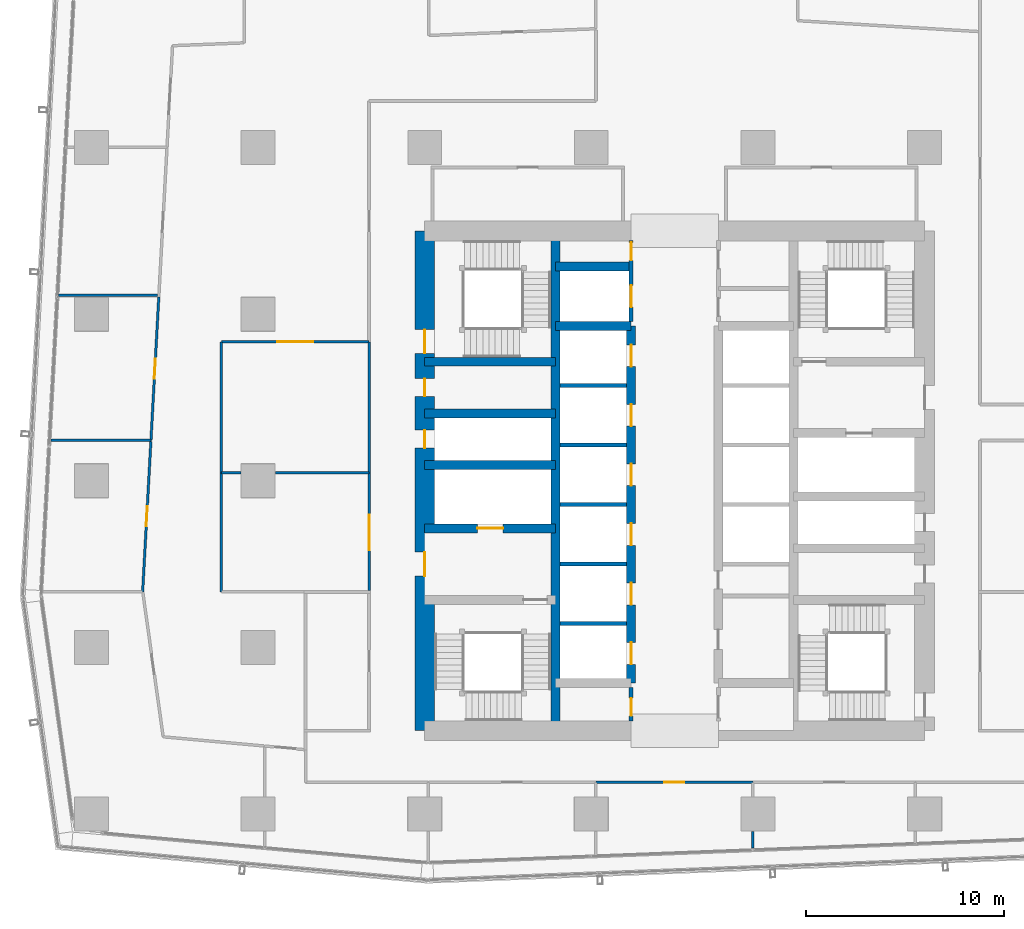
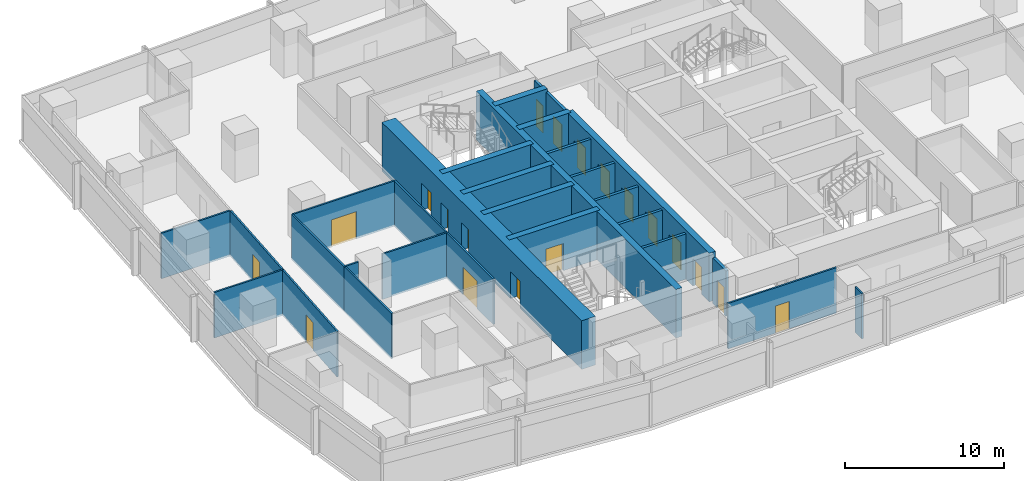
# One storey, part 29 of 40: 29 walls, 19 doors, 19 openings.
"""IFC4 building model written with IfcOpenShell, lengths in metres."""

from ifc_helpers import new_model, si_unit, direction, frame, frame_2d, origin, place, context, subcontext, project, spatial, rectangle, extrude, material, layer, layer_set, type_object, element, fill, save


model = new_model("IFC4")

# Units and contexts
model_context = context("Model", 3, precision=1e-05, world=origin(), true_north=direction((0.0, 1.0)))
body_context = subcontext(model_context, "Body", "Model", "MODEL_VIEW")
ifc_project = project(units=[si_unit("LENGTHUNIT", "METRE"), si_unit("AREAUNIT", "SQUARE_METRE"), si_unit("VOLUMEUNIT", "CUBIC_METRE"), si_unit("PLANEANGLEUNIT", "RADIAN"), si_unit("MASSUNIT", "GRAM", prefix="KILO")], contexts=[model_context])

# Site, building, storey
site_placement = place(None, origin())
site = spatial("IfcSite", under=ifc_project, at=site_placement, CompositionType="ELEMENT")
building_placement = place(site_placement, origin())
building = spatial("IfcBuilding", under=site, at=building_placement, Name="Rekha Terrace Tower", CompositionType="ELEMENT")
storey_placement = place(building_placement, frame((0.0, 0.0, 132.800048828125)))
storey = spatial("IfcBuildingStorey", under=building, at=storey_placement, Name="L33", CompositionType="ELEMENT", Elevation=132.800048828125)

# Wall
ifc_material_1 = material(Name="Concrete M70", Category="concrete")
ifc_layer_1 = layer(ifc_material_1, 0.449951171875)
ifc_layer_set_1 = layer_set([ifc_layer_1], Name="Concrete M70")
wall_type_1 = type_object("IfcWallType", Name="CI2 450 core internal shear wall", PredefinedType="SHEAR", material=ifc_layer_set_1)
wall_1_placement = place(storey_placement, frame((31.800048828125, 21.0, 0.0), z_axis=(0.0, 0.0, 1.0), x_axis=(0.0, 1.0, 0.0)))
element("IfcWall", 1, at=wall_1_placement, inside=storey, type_object=wall_type_1, Name="Core wall X318 L33", PredefinedType="SHEAR", context=body_context, shape_type="SweptSolid", body=[
    extrude(rectangle(XDim=25.199951171875, YDim=0.449951171875, at=frame_2d((12.60009765625, 0.0))), origin(), (0.0, 0.0, 1.0), 3.75),
])

# Wall, openings, doors
wall_2_placement = place(storey_placement, frame((35.60009765625, 23.39990234375, 0.0), z_axis=(0.0, 0.0, 1.0), x_axis=(0.0, 1.0, 0.0)))
wall_2 = element("IfcWall", 2, at=wall_2_placement, inside=storey, type_object=wall_type_1, Name="Core wall X356 L33", PredefinedType="SHEAR", context=body_context, shape_type="SweptSolid", body=[
    extrude(rectangle(XDim=18.0, YDim=0.449951171875, at=frame_2d((9.0, 0.0))), origin(), (0.0, 0.0, 1.0), 3.75),
])
opening_1_placement = place(wall_2_placement, frame((0.949951171875, 0.0, 0.0)))
opening_1 = element("IfcOpeningElement", 3, at=opening_1_placement, cuts=wall_2, Name="Opening LD1", PredefinedType="OPENING", context=body_context, shape_type="SweptSolid", body=[
    extrude(rectangle(XDim=1.10009765625, YDim=2.10009765625, at=frame_2d((0.550048828125, 1.050048828125))), frame((0.0, 0.23486328125, 0.0), z_axis=(0.0, -1.0, 0.0), x_axis=(1.0, 0.0, 0.0)), (0.0, 0.0, 1.0), 0.469970703125),
])
opening_2_placement = place(wall_2_placement, frame((3.949951171875, 0.0, 0.0)))
opening_2 = element("IfcOpeningElement", 4, at=opening_2_placement, cuts=wall_2, Name="Opening LD1", PredefinedType="OPENING", context=body_context, shape_type="SweptSolid", body=[
    extrude(rectangle(XDim=1.10009765625, YDim=2.10009765625, at=frame_2d((0.550048828125, 1.050048828125))), frame((0.0, 0.23486328125, 0.0), z_axis=(0.0, -1.0, 0.0), x_axis=(1.0, 0.0, 0.0)), (0.0, 0.0, 1.0), 0.469970703125),
])
opening_3_placement = place(wall_2_placement, frame((6.949951171875, 0.0, 0.0)))
opening_3 = element("IfcOpeningElement", 5, at=opening_3_placement, cuts=wall_2, Name="Opening LD1", PredefinedType="OPENING", context=body_context, shape_type="SweptSolid", body=[
    extrude(rectangle(XDim=1.10009765625, YDim=2.10009765625, at=frame_2d((0.550048828125, 1.050048828125))), frame((0.0, 0.23486328125, 0.0), z_axis=(0.0, -1.0, 0.0), x_axis=(1.0, 0.0, 0.0)), (0.0, 0.0, 1.0), 0.469970703125),
])
opening_4_placement = place(wall_2_placement, frame((9.949951171875, 0.0, 0.0)))
opening_4 = element("IfcOpeningElement", 6, at=opening_4_placement, cuts=wall_2, Name="Opening LD1", PredefinedType="OPENING", context=body_context, shape_type="SweptSolid", body=[
    extrude(rectangle(XDim=1.10009765625, YDim=2.10009765625, at=frame_2d((0.550048828125, 1.050048828125))), frame((0.0, 0.23486328125, 0.0), z_axis=(0.0, -1.0, 0.0), x_axis=(1.0, 0.0, 0.0)), (0.0, 0.0, 1.0), 0.469970703125),
])
opening_5_placement = place(wall_2_placement, frame((12.949951171875, 0.0, 0.0)))
opening_5 = element("IfcOpeningElement", 7, at=opening_5_placement, cuts=wall_2, Name="Opening LD1", PredefinedType="OPENING", context=body_context, shape_type="SweptSolid", body=[
    extrude(rectangle(XDim=1.10009765625, YDim=2.10009765625, at=frame_2d((0.550048828125, 1.050048828125))), frame((0.0, 0.23486328125, 0.0), z_axis=(0.0, -1.0, 0.0), x_axis=(1.0, 0.0, 0.0)), (0.0, 0.0, 1.0), 0.469970703125),
])
opening_6_placement = place(wall_2_placement, frame((15.949951171875, 0.0, 0.0)))
opening_6 = element("IfcOpeningElement", 8, at=opening_6_placement, cuts=wall_2, Name="Opening LD1", PredefinedType="OPENING", context=body_context, shape_type="SweptSolid", body=[
    extrude(rectangle(XDim=1.10009765625, YDim=2.10009765625, at=frame_2d((0.550048828125, 1.050048828125))), frame((0.0, 0.23486328125, 0.0), z_axis=(0.0, -1.0, 0.0), x_axis=(1.0, 0.0, 0.0)), (0.0, 0.0, 1.0), 0.469970703125),
])
ifc_material_2 = material(Name="Stainless steel sliding landing door", Category="steel")
door_type_1 = type_object("IfcDoorType", Name="LD1 1100x2100 lift landing door", OperationType="SLIDING_TO_LEFT", PredefinedType="USERDEFINED", material=ifc_material_2)
door_1_placement = place(opening_1_placement, origin())
door_1 = element("IfcDoor", 9, at=door_1_placement, inside=storey, type_object=door_type_1, Name="Lift B1 landing door L33", ObjectType="LIFT LANDING DOOR", OperationType="SLIDING_TO_LEFT", OverallHeight=2.10009765625, OverallWidth=1.10009765625, PredefinedType="USERDEFINED", context=body_context, shape_type="SweptSolid", body=[
    extrude(rectangle(XDim=1.10009765625, YDim=2.10009765625, at=frame_2d((0.550048828125, 1.050048828125))), frame((0.0, 0.02490234375, 0.0), z_axis=(0.0, -1.0, 0.0), x_axis=(1.0, 0.0, 0.0)), (0.0, 0.0, 1.0), 0.050048828125),
])
fill(opening_1, door_1)
door_2_placement = place(opening_2_placement, origin())
door_2 = element("IfcDoor", 10, at=door_2_placement, inside=storey, type_object=door_type_1, Name="Lift B2 landing door L33", ObjectType="LIFT LANDING DOOR", OperationType="SLIDING_TO_LEFT", OverallHeight=2.10009765625, OverallWidth=1.10009765625, PredefinedType="USERDEFINED", context=body_context, shape_type="SweptSolid", body=[
    extrude(rectangle(XDim=1.10009765625, YDim=2.10009765625, at=frame_2d((0.550048828125, 1.050048828125))), frame((0.0, 0.02490234375, 0.0), z_axis=(0.0, -1.0, 0.0), x_axis=(1.0, 0.0, 0.0)), (0.0, 0.0, 1.0), 0.050048828125),
])
fill(opening_2, door_2)
door_3_placement = place(opening_3_placement, origin())
door_3 = element("IfcDoor", 11, at=door_3_placement, inside=storey, type_object=door_type_1, Name="Lift B3 landing door L33", ObjectType="LIFT LANDING DOOR", OperationType="SLIDING_TO_LEFT", OverallHeight=2.10009765625, OverallWidth=1.10009765625, PredefinedType="USERDEFINED", context=body_context, shape_type="SweptSolid", body=[
    extrude(rectangle(XDim=1.10009765625, YDim=2.10009765625, at=frame_2d((0.550048828125, 1.050048828125))), frame((0.0, 0.02490234375, 0.0), z_axis=(0.0, -1.0, 0.0), x_axis=(1.0, 0.0, 0.0)), (0.0, 0.0, 1.0), 0.050048828125),
])
fill(opening_3, door_3)
door_4_placement = place(opening_4_placement, origin())
door_4 = element("IfcDoor", 12, at=door_4_placement, inside=storey, type_object=door_type_1, Name="Lift B4 landing door L33", ObjectType="LIFT LANDING DOOR", OperationType="SLIDING_TO_LEFT", OverallHeight=2.10009765625, OverallWidth=1.10009765625, PredefinedType="USERDEFINED", context=body_context, shape_type="SweptSolid", body=[
    extrude(rectangle(XDim=1.10009765625, YDim=2.10009765625, at=frame_2d((0.550048828125, 1.050048828125))), frame((0.0, 0.02490234375, 0.0), z_axis=(0.0, -1.0, 0.0), x_axis=(1.0, 0.0, 0.0)), (0.0, 0.0, 1.0), 0.050048828125),
])
fill(opening_4, door_4)
door_5_placement = place(opening_5_placement, origin())
door_5 = element("IfcDoor", 13, at=door_5_placement, inside=storey, type_object=door_type_1, Name="Lift B5 landing door L33", ObjectType="LIFT LANDING DOOR", OperationType="SLIDING_TO_LEFT", OverallHeight=2.10009765625, OverallWidth=1.10009765625, PredefinedType="USERDEFINED", context=body_context, shape_type="SweptSolid", body=[
    extrude(rectangle(XDim=1.10009765625, YDim=2.10009765625, at=frame_2d((0.550048828125, 1.050048828125))), frame((0.0, 0.02490234375, 0.0), z_axis=(0.0, -1.0, 0.0), x_axis=(1.0, 0.0, 0.0)), (0.0, 0.0, 1.0), 0.050048828125),
])
fill(opening_5, door_5)
door_6_placement = place(opening_6_placement, origin())
door_6 = element("IfcDoor", 14, at=door_6_placement, inside=storey, type_object=door_type_1, Name="Lift B6 landing door L33", ObjectType="LIFT LANDING DOOR", OperationType="SLIDING_TO_LEFT", OverallHeight=2.10009765625, OverallWidth=1.10009765625, PredefinedType="USERDEFINED", context=body_context, shape_type="SweptSolid", body=[
    extrude(rectangle(XDim=1.10009765625, YDim=2.10009765625, at=frame_2d((0.550048828125, 1.050048828125))), frame((0.0, 0.02490234375, 0.0), z_axis=(0.0, -1.0, 0.0), x_axis=(1.0, 0.0, 0.0)), (0.0, 0.0, 1.0), 0.050048828125),
])
fill(opening_6, door_6)

# Walls
for number, where, z_axis, x_axis, name in (
    (15, (31.800048828125, 41.39990234375, 0.0), (0.0, 0.0, 1.0), (1.0, 0.0, 0.0), "Core wall Y414W L33"),
    (16, (31.800048828125, 44.39990234375, 0.0), (0.0, 0.0, 1.0), (1.0, 0.0, 0.0), "Core wall Y444W L33"),
):
    element("IfcWall", number, at=place(storey_placement, frame(where, z_axis=z_axis, x_axis=x_axis)), inside=storey, type_object=wall_type_1, Name=name, PredefinedType="SHEAR", context=body_context, shape_type="SweptSolid", body=[
        extrude(rectangle(XDim=3.800048828125, YDim=0.449951171875, at=frame_2d((1.89990234375, 0.0))), origin(), (0.0, 0.0, 1.0), 3.75),
    ])

# Wall, opening, door
wall_3_placement = place(storey_placement, frame((25.199951171875, 31.199951171875, 0.0), z_axis=(0.0, 0.0, 1.0), x_axis=(1.0, 0.0, 0.0)))
wall_3 = element("IfcWall", 17, at=wall_3_placement, inside=storey, type_object=wall_type_1, Name="Core wall Y312W L33", PredefinedType="SHEAR", context=body_context, shape_type="SweptSolid", body=[
    extrude(rectangle(XDim=6.60009765625, YDim=0.449951171875, at=frame_2d((3.300048828125, 0.0))), origin(), (0.0, 0.0, 1.0), 3.75),
])
opening_7_placement = place(wall_3_placement, frame((2.64990234375, 0.0, 0.0)))
opening_7 = element("IfcOpeningElement", 18, at=opening_7_placement, cuts=wall_3, Name="Opening LD2", PredefinedType="OPENING", context=body_context, shape_type="SweptSolid", body=[
    extrude(rectangle(XDim=1.300048828125, YDim=2.10009765625, at=frame_2d((0.64990234375, 1.050048828125))), frame((0.0, 0.23486328125, 0.0), z_axis=(0.0, -1.0, 0.0), x_axis=(1.0, 0.0, 0.0)), (0.0, 0.0, 1.0), 0.469970703125),
])
door_type_2 = type_object("IfcDoorType", Name="LD2 1300x2100 fire lift landing door", OperationType="SLIDING_TO_LEFT", PredefinedType="USERDEFINED", material=ifc_material_2)
door_7_placement = place(opening_7_placement, origin())
door_7 = element("IfcDoor", 19, at=door_7_placement, inside=storey, type_object=door_type_2, Name="Lift FL1 landing door L33", ObjectType="LIFT LANDING DOOR", OperationType="SLIDING_TO_LEFT", OverallHeight=2.10009765625, OverallWidth=1.300048828125, PredefinedType="USERDEFINED", context=body_context, shape_type="SweptSolid", body=[
    extrude(rectangle(XDim=1.300048828125, YDim=2.10009765625, at=frame_2d((0.64990234375, 1.050048828125))), frame((0.0, 0.02490234375, 0.0), z_axis=(0.0, -1.0, 0.0), x_axis=(1.0, 0.0, 0.0)), (0.0, 0.0, 1.0), 0.050048828125),
])
fill(opening_7, door_7)

# Walls
for number, where, z_axis, x_axis, name in (
    (20, (25.199951171875, 34.39990234375, 0.0), (0.0, 0.0, 1.0), (1.0, 0.0, 0.0), "Core wall Y344W L33"),
    (21, (25.199951171875, 37.0, 0.0), (0.0, 0.0, 1.0), (1.0, 0.0, 0.0), "Core wall Y370W L33"),
    (22, (25.199951171875, 39.60009765625, 0.0), (0.0, 0.0, 1.0), (1.0, 0.0, 0.0), "Core wall Y396W L33"),
):
    element("IfcWall", number, at=place(storey_placement, frame(where, z_axis=z_axis, x_axis=x_axis)), inside=storey, type_object=wall_type_1, Name=name, PredefinedType="SHEAR", context=body_context, shape_type="SweptSolid", body=[
        extrude(rectangle(XDim=6.60009765625, YDim=0.449951171875, at=frame_2d((3.300048828125, 0.0))), origin(), (0.0, 0.0, 1.0), 3.75),
    ])

# Wall, openings, doors
ifc_layer_2 = layer(ifc_material_1, 1.0)
ifc_layer_set_2 = layer_set([ifc_layer_2], Name="Concrete M70")
wall_type_2 = type_object("IfcWallType", Name="SW2 1000 core outer shear wall", PredefinedType="SHEAR", material=ifc_layer_set_2)
wall_4_placement = place(storey_placement, frame((25.199951171875, 21.0, 0.0), z_axis=(0.0, 0.0, 1.0), x_axis=(0.0, 1.0, 0.0)))
wall_4 = element("IfcWall", 23, at=wall_4_placement, inside=storey, type_object=wall_type_2, Name="Core wall W L33", PredefinedType="SHEAR", context=body_context, shape_type="SweptSolid", body=[
    extrude(rectangle(XDim=25.199951171875, YDim=1.0, at=frame_2d((12.60009765625, 0.0))), origin(), (0.0, 0.0, 1.0), 3.75),
])
opening_8_placement = place(wall_4_placement, frame((7.800048828125, 0.0, 0.0)))
opening_8 = element("IfcOpeningElement", 24, at=opening_8_placement, cuts=wall_4, Name="Opening D2", PredefinedType="OPENING", context=body_context, shape_type="SweptSolid", body=[
    extrude(rectangle(XDim=1.199951171875, YDim=2.10009765625, at=frame_2d((0.60009765625, 1.050048828125))), frame((0.0, 0.510009765625, 0.0), z_axis=(0.0, -1.0, 0.0), x_axis=(1.0, 0.0, 0.0)), (0.0, 0.0, 1.0), 1.02001953125),
])
opening_9_placement = place(wall_4_placement, frame((14.25, 0.0, 0.0)))
opening_9 = element("IfcOpeningElement", 25, at=opening_9_placement, cuts=wall_4, Name="Opening D5", PredefinedType="OPENING", context=body_context, shape_type="SweptSolid", body=[
    extrude(rectangle(XDim=0.89990234375, YDim=2.10009765625, at=frame_2d((0.449951171875, 1.050048828125))), frame((0.0, 0.510009765625, 0.0), z_axis=(0.0, -1.0, 0.0), x_axis=(1.0, 0.0, 0.0)), (0.0, 0.0, 1.0), 1.02001953125),
])
opening_10_placement = place(wall_4_placement, frame((16.85009765625, 0.0, 0.0)))
opening_10 = element("IfcOpeningElement", 26, at=opening_10_placement, cuts=wall_4, Name="Opening D5", PredefinedType="OPENING", context=body_context, shape_type="SweptSolid", body=[
    extrude(rectangle(XDim=0.89990234375, YDim=2.10009765625, at=frame_2d((0.449951171875, 1.050048828125))), frame((0.0, 0.510009765625, 0.0), z_axis=(0.0, -1.0, 0.0), x_axis=(1.0, 0.0, 0.0)), (0.0, 0.0, 1.0), 1.02001953125),
])
opening_11_placement = place(wall_4_placement, frame((19.02490234375, 0.0, 0.0)))
opening_11 = element("IfcOpeningElement", 27, at=opening_11_placement, cuts=wall_4, Name="Opening D1", PredefinedType="OPENING", context=body_context, shape_type="SweptSolid", body=[
    extrude(rectangle(XDim=1.199951171875, YDim=2.10009765625, at=frame_2d((0.60009765625, 1.050048828125))), frame((0.0, 0.510009765625, 0.0), z_axis=(0.0, -1.0, 0.0), x_axis=(1.0, 0.0, 0.0)), (0.0, 0.0, 1.0), 1.02001953125),
])
ifc_material_3 = material(Name="Steel fire door", Category="steel")
door_type_3 = type_object("IfcDoorType", Name="D1 1200x2100 stair fire door", OperationType="SINGLE_SWING_RIGHT", PredefinedType="DOOR", material=ifc_material_3)
door_8_placement = place(opening_11_placement, origin())
door_8 = element("IfcDoor", 28, at=door_8_placement, inside=storey, type_object=door_type_3, Name="Stair ST4 door L33", OperationType="SINGLE_SWING_RIGHT", OverallHeight=2.10009765625, OverallWidth=1.199951171875, PredefinedType="DOOR", context=body_context, shape_type="SweptSolid", body=[
    extrude(rectangle(XDim=1.199951171875, YDim=2.10009765625, at=frame_2d((0.60009765625, 1.050048828125))), frame((0.0, 0.02490234375, 0.0), z_axis=(0.0, -1.0, 0.0), x_axis=(1.0, 0.0, 0.0)), (0.0, 0.0, 1.0), 0.050048828125),
])
fill(opening_11, door_8)
door_type_4 = type_object("IfcDoorType", Name="D2 1200x2100 firefighting lobby door", OperationType="SINGLE_SWING_LEFT", PredefinedType="DOOR", material=ifc_material_3)
door_9_placement = place(opening_8_placement, origin())
door_9 = element("IfcDoor", 29, at=door_9_placement, inside=storey, type_object=door_type_4, Name="Door flb1 L33", OperationType="SINGLE_SWING_LEFT", OverallHeight=2.10009765625, OverallWidth=1.199951171875, PredefinedType="DOOR", context=body_context, shape_type="SweptSolid", body=[
    extrude(rectangle(XDim=1.199951171875, YDim=2.10009765625, at=frame_2d((0.60009765625, 1.050048828125))), frame((0.0, 0.02490234375, 0.0), z_axis=(0.0, -1.0, 0.0), x_axis=(1.0, 0.0, 0.0)), (0.0, 0.0, 1.0), 0.050048828125),
])
fill(opening_8, door_9)
door_type_5 = type_object("IfcDoorType", Name="D5 900x2100 riser access door", OperationType="SINGLE_SWING_LEFT", PredefinedType="DOOR", material=ifc_material_3)
door_10_placement = place(opening_9_placement, origin())
door_10 = element("IfcDoor", 30, at=door_10_placement, inside=storey, type_object=door_type_5, Name="Door rs1 L33", OperationType="SINGLE_SWING_LEFT", OverallHeight=2.10009765625, OverallWidth=0.89990234375, PredefinedType="DOOR", context=body_context, shape_type="SweptSolid", body=[
    extrude(rectangle(XDim=0.89990234375, YDim=2.10009765625, at=frame_2d((0.449951171875, 1.050048828125))), frame((0.0, 0.02490234375, 0.0), z_axis=(0.0, -1.0, 0.0), x_axis=(1.0, 0.0, 0.0)), (0.0, 0.0, 1.0), 0.050048828125),
])
fill(opening_9, door_10)
door_11_placement = place(opening_10_placement, origin())
door_11 = element("IfcDoor", 31, at=door_11_placement, inside=storey, type_object=door_type_5, Name="Door elw L33", OperationType="SINGLE_SWING_LEFT", OverallHeight=2.10009765625, OverallWidth=0.89990234375, PredefinedType="DOOR", context=body_context, shape_type="SweptSolid", body=[
    extrude(rectangle(XDim=0.89990234375, YDim=2.10009765625, at=frame_2d((0.449951171875, 1.050048828125))), frame((0.0, 0.02490234375, 0.0), z_axis=(0.0, -1.0, 0.0), x_axis=(1.0, 0.0, 0.0)), (0.0, 0.0, 1.0), 0.050048828125),
])
fill(opening_10, door_11)

# Wall
ifc_material_4 = material(Name="Two layers of fire-rated gypsum board each side on steel studs, acoustic quilt, 1 hour", Category="steel")
ifc_layer_3 = layer(ifc_material_4, 0.125)
ifc_layer_set_3 = layer_set([ifc_layer_3], Name="Two layers of fire-rated gypsum board each side on steel studs, acoustic quilt, 1 hour")
wall_type_3 = type_object("IfcWallType", Name="WP3 125 office partition", PredefinedType="PARTITIONING", material=ifc_layer_set_3)
wall_5_placement = place(storey_placement, frame((41.740966796875, 15.080078125, 0.0), z_axis=(0.0, 0.0, 1.0), x_axis=(0.0, 1.0, 0.0)))
element("IfcWall", 32, at=wall_5_placement, inside=storey, type_object=wall_type_3, Name="Partition L33-02", PredefinedType="PARTITIONING", context=body_context, shape_type="SweptSolid", body=[
    extrude(rectangle(XDim=0.849853515625, YDim=0.125, at=frame_2d((0.4248046875, 0.0))), origin(), (0.0, 0.0, 1.0), 3.5),
])

# Wall, opening, door
wall_6_placement = place(storey_placement, frame((33.825927734375, 18.39990234375, 0.0), z_axis=(0.0, 0.0, 1.0), x_axis=(1.0, 0.0, 0.0)))
wall_6 = element("IfcWall", 33, at=wall_6_placement, inside=storey, type_object=wall_type_3, Name="Partition L33-09", PredefinedType="PARTITIONING", context=body_context, shape_type="SweptSolid", body=[
    extrude(rectangle(XDim=7.9140625, YDim=0.125, at=frame_2d((3.95703125, 0.0))), origin(), (0.0, 0.0, 1.0), 3.5),
])
opening_12_placement = place(wall_6_placement, frame((3.45703125, 0.0, 0.0)))
opening_12 = element("IfcOpeningElement", 34, at=opening_12_placement, cuts=wall_6, Name="Opening D9", PredefinedType="OPENING", context=body_context, shape_type="SweptSolid", body=[
    extrude(rectangle(XDim=1.0, YDim=2.10009765625, at=frame_2d((0.5, 1.050048828125))), frame((0.0, 0.072509765625, 0.0), z_axis=(0.0, -1.0, 0.0), x_axis=(1.0, 0.0, 0.0)), (0.0, 0.0, 1.0), 0.14501953125),
])
ifc_material_5 = material(Name="Timber fire door", Category="wood")
door_type_6 = type_object("IfcDoorType", Name="D9 1000x2100 office door", OperationType="SINGLE_SWING_LEFT", PredefinedType="DOOR", material=ifc_material_5)
door_12_placement = place(opening_12_placement, origin())
door_12 = element("IfcDoor", 35, at=door_12_placement, inside=storey, type_object=door_type_6, Name="Door meeting room L33", OperationType="SINGLE_SWING_LEFT", OverallHeight=2.10009765625, OverallWidth=1.0, PredefinedType="DOOR", context=body_context, shape_type="SweptSolid", body=[
    extrude(rectangle(XDim=1.0, YDim=2.10009765625, at=frame_2d((0.5, 1.050048828125))), frame((0.0, 0.02490234375, 0.0), z_axis=(0.0, -1.0, 0.0), x_axis=(1.0, 0.0, 0.0)), (0.0, 0.0, 1.0), 0.050048828125),
])
fill(opening_12, door_12)

# Wall
wall_7_placement = place(storey_placement, frame((11.738037109375, 42.943115234375, 0.0), z_axis=(0.0, 0.0, 1.0), x_axis=(-1.0, 0.0, 0.0)))
element("IfcWall", 36, at=wall_7_placement, inside=storey, type_object=wall_type_3, Name="Partition L33-13", PredefinedType="PARTITIONING", context=body_context, shape_type="SweptSolid", body=[
    extrude(rectangle(XDim=4.994140625, YDim=0.125, at=frame_2d((2.4970703125, 0.0))), origin(), (0.0, 0.0, 1.0), 3.5),
])

# Wall, opening, door
wall_8_placement = place(storey_placement, frame((11.797119140625, 42.8720703125, 0.0), z_axis=(0.0, 0.0, 1.0), x_axis=(-0.0546696622, -0.998504495751, 0.0)))
wall_8 = element("IfcWall", 37, at=wall_8_placement, inside=storey, type_object=wall_type_3, Name="Partition L33-14", PredefinedType="PARTITIONING", context=body_context, shape_type="SweptSolid", body=[
    extrude(rectangle(XDim=7.247802734375, YDim=0.125, at=frame_2d((3.6240234375, 0.0))), origin(), (0.0, 0.0, 1.0), 3.5),
])
opening_13_placement = place(wall_8_placement, frame((3.1240234375, 0.0, 0.0)))
opening_13 = element("IfcOpeningElement", 38, at=opening_13_placement, cuts=wall_8, Name="Opening D9", PredefinedType="OPENING", context=body_context, shape_type="SweptSolid", body=[
    extrude(rectangle(XDim=1.0, YDim=2.10009765625, at=frame_2d((0.5, 1.050048828125))), frame((0.0, 0.072509765625, 0.0), z_axis=(0.0, -1.0, 0.0), x_axis=(1.0, 0.0, 0.0)), (0.0, 0.0, 1.0), 0.14501953125),
])
door_13_placement = place(opening_13_placement, origin())
door_13 = element("IfcDoor", 39, at=door_13_placement, inside=storey, type_object=door_type_6, Name="Door print room L33", OperationType="SINGLE_SWING_LEFT", OverallHeight=2.10009765625, OverallWidth=1.0, PredefinedType="DOOR", context=body_context, shape_type="SweptSolid", body=[
    extrude(rectangle(XDim=1.0, YDim=2.10009765625, at=frame_2d((0.5, 1.050048828125))), frame((0.0, 0.02490234375, 0.0), z_axis=(0.0, -1.0, 0.0), x_axis=(1.0, 0.0, 0.0)), (0.0, 0.0, 1.0), 0.050048828125),
])
fill(opening_13, door_13)

# Wall
wall_9_placement = place(storey_placement, frame((11.40087890625, 35.635009765625, 0.0), z_axis=(0.0, 0.0, 1.0), x_axis=(-1.0, 0.0, 0.0)))
element("IfcWall", 40, at=wall_9_placement, inside=storey, type_object=wall_type_3, Name="Partition L33-14", PredefinedType="PARTITIONING", context=body_context, shape_type="SweptSolid", body=[
    extrude(rectangle(XDim=5.02783203125, YDim=0.125, at=frame_2d((2.513916015625, 0.0))), origin(), (0.0, 0.0, 1.0), 3.5),
])

# Wall, opening, door
wall_10_placement = place(storey_placement, frame((11.39697265625, 35.572021484375, 0.0), z_axis=(0.0, 0.0, 1.0), x_axis=(-0.054730034511, -0.998501188443, 0.0)))
wall_10 = element("IfcWall", 41, at=wall_10_placement, inside=storey, type_object=wall_type_3, Name="Partition L33-15", PredefinedType="PARTITIONING", context=body_context, shape_type="SweptSolid", body=[
    extrude(rectangle(XDim=7.58349609375, YDim=0.125, at=frame_2d((3.791748046875, 0.0))), origin(), (0.0, 0.0, 1.0), 3.5),
])
opening_14_placement = place(wall_10_placement, frame((3.260986328125, 0.0, 0.0)))
opening_14 = element("IfcOpeningElement", 42, at=opening_14_placement, cuts=wall_10, Name="Opening D9", PredefinedType="OPENING", context=body_context, shape_type="SweptSolid", body=[
    extrude(rectangle(XDim=1.0, YDim=2.10009765625, at=frame_2d((0.5, 1.050048828125))), frame((0.0, 0.072509765625, 0.0), z_axis=(0.0, -1.0, 0.0), x_axis=(1.0, 0.0, 0.0)), (0.0, 0.0, 1.0), 0.14501953125),
])
door_14_placement = place(opening_14_placement, origin())
door_14 = element("IfcDoor", 43, at=door_14_placement, inside=storey, type_object=door_type_6, Name="Door meeting room L33", OperationType="SINGLE_SWING_LEFT", OverallHeight=2.10009765625, OverallWidth=1.0, PredefinedType="DOOR", context=body_context, shape_type="SweptSolid", body=[
    extrude(rectangle(XDim=1.0, YDim=2.10009765625, at=frame_2d((0.5, 1.050048828125))), frame((0.0, 0.02490234375, 0.0), z_axis=(0.0, -1.0, 0.0), x_axis=(1.0, 0.0, 0.0)), (0.0, 0.0, 1.0), 0.050048828125),
])
fill(opening_14, door_14)

# Walls
wall_11_placement = place(storey_placement, frame((14.949951171875, 28.0, 0.0), z_axis=(0.0, 0.0, 1.0), x_axis=(0.0, 1.0, 0.0)))
element("IfcWall", 44, at=wall_11_placement, inside=storey, type_object=wall_type_3, Name="Partition L33-18", PredefinedType="PARTITIONING", context=body_context, shape_type="SweptSolid", body=[
    extrude(rectangle(XDim=6.0, YDim=0.125, at=frame_2d((3.0, 0.0))), origin(), (0.0, 0.0, 1.0), 3.5),
])
wall_12_placement = place(storey_placement, frame((14.949951171875, 34.0, 0.0), z_axis=(0.0, 0.0, 1.0), x_axis=(1.0, 0.0, 0.0)))
element("IfcWall", 45, at=wall_12_placement, inside=storey, type_object=wall_type_3, Name="Partition L33-18", PredefinedType="PARTITIONING", context=body_context, shape_type="SweptSolid", body=[
    extrude(rectangle(XDim=0.97998046875, YDim=0.125, at=frame_2d((0.489990234375, 0.0))), origin(), (0.0, 0.0, 1.0), 3.5),
])
wall_13_placement = place(storey_placement, frame((17.669921875, 34.0, 0.0), z_axis=(0.0, 0.0, 1.0), x_axis=(1.0, 0.0, 0.0)))
element("IfcWall", 46, at=wall_13_placement, inside=storey, type_object=wall_type_3, Name="Partition L33-18", PredefinedType="PARTITIONING", context=body_context, shape_type="SweptSolid", body=[
    extrude(rectangle(XDim=4.72998046875, YDim=0.125, at=frame_2d((2.364990234375, 0.0))), origin(), (0.0, 0.0, 1.0), 3.5),
])

# Wall, opening, door
wall_14_placement = place(storey_placement, frame((22.39990234375, 34.0, 0.0), z_axis=(0.0, 0.0, 1.0), x_axis=(0.0, -1.0, 0.0)))
wall_14 = element("IfcWall", 47, at=wall_14_placement, inside=storey, type_object=wall_type_3, Name="Partition L33-18", PredefinedType="PARTITIONING", context=body_context, shape_type="SweptSolid", body=[
    extrude(rectangle(XDim=5.925048828125, YDim=0.125, at=frame_2d((2.96240234375, 0.0))), origin(), (0.0, 0.0, 1.0), 3.5),
])
opening_15_placement = place(wall_14_placement, frame((2.10009765625, 0.0, 0.0)))
opening_15 = element("IfcOpeningElement", 48, at=opening_15_placement, cuts=wall_14, Name="Opening D8", PredefinedType="OPENING", context=body_context, shape_type="SweptSolid", body=[
    extrude(rectangle(XDim=1.800048828125, YDim=2.10009765625, at=frame_2d((0.89990234375, 1.050048828125))), frame((0.0, 0.072509765625, 0.0), z_axis=(0.0, -1.0, 0.0), x_axis=(1.0, 0.0, 0.0)), (0.0, 0.0, 1.0), 0.14501953125),
])
door_type_7 = type_object("IfcDoorType", Name="D8 1800x2100 double leaf door", OperationType="DOUBLE_DOOR_SINGLE_SWING", PredefinedType="DOOR", material=ifc_material_5)
door_15_placement = place(opening_15_placement, origin())
door_15 = element("IfcDoor", 49, at=door_15_placement, inside=storey, type_object=door_type_7, Name="Door reception L33", OperationType="DOUBLE_DOOR_SINGLE_SWING", OverallHeight=2.10009765625, OverallWidth=1.800048828125, PredefinedType="DOOR", context=body_context, shape_type="SweptSolid", body=[
    extrude(rectangle(XDim=1.800048828125, YDim=2.10009765625, at=frame_2d((0.89990234375, 1.050048828125))), frame((0.0, 0.02490234375, 0.0), z_axis=(0.0, -1.0, 0.0), x_axis=(1.0, 0.0, 0.0)), (0.0, 0.0, 1.0), 0.050048828125),
])
fill(opening_15, door_15)

# Wall
wall_15_placement = place(storey_placement, frame((14.949951171875, 34.0, 0.0), z_axis=(0.0, 0.0, 1.0), x_axis=(0.0, 1.0, 0.0)))
element("IfcWall", 50, at=wall_15_placement, inside=storey, type_object=wall_type_3, Name="Partition L33-19", PredefinedType="PARTITIONING", context=body_context, shape_type="SweptSolid", body=[
    extrude(rectangle(XDim=6.60009765625, YDim=0.125, at=frame_2d((3.300048828125, 0.0))), origin(), (0.0, 0.0, 1.0), 3.5),
])

# Wall, opening, door
wall_16_placement = place(storey_placement, frame((14.949951171875, 40.60009765625, 0.0), z_axis=(0.0, 0.0, 1.0), x_axis=(1.0, 0.0, 0.0)))
wall_16 = element("IfcWall", 51, at=wall_16_placement, inside=storey, type_object=wall_type_3, Name="Partition L33-19", PredefinedType="PARTITIONING", context=body_context, shape_type="SweptSolid", body=[
    extrude(rectangle(XDim=7.449951171875, YDim=0.125, at=frame_2d((3.72509765625, 0.0))), origin(), (0.0, 0.0, 1.0), 3.5),
])
opening_16_placement = place(wall_16_placement, frame((2.824951171875, 0.0, 0.0)))
opening_16 = element("IfcOpeningElement", 52, at=opening_16_placement, cuts=wall_16, Name="Opening D8", PredefinedType="OPENING", context=body_context, shape_type="SweptSolid", body=[
    extrude(rectangle(XDim=1.800048828125, YDim=2.10009765625, at=frame_2d((0.89990234375, 1.050048828125))), frame((0.0, 0.072509765625, 0.0), z_axis=(0.0, -1.0, 0.0), x_axis=(1.0, 0.0, 0.0)), (0.0, 0.0, 1.0), 0.14501953125),
])
door_16_placement = place(opening_16_placement, origin())
door_16 = element("IfcDoor", 53, at=door_16_placement, inside=storey, type_object=door_type_7, Name="Door meeting room L33", OperationType="DOUBLE_DOOR_SINGLE_SWING", OverallHeight=2.10009765625, OverallWidth=1.800048828125, PredefinedType="DOOR", context=body_context, shape_type="SweptSolid", body=[
    extrude(rectangle(XDim=1.800048828125, YDim=2.10009765625, at=frame_2d((0.89990234375, 1.050048828125))), frame((0.0, 0.02490234375, 0.0), z_axis=(0.0, -1.0, 0.0), x_axis=(1.0, 0.0, 0.0)), (0.0, 0.0, 1.0), 0.050048828125),
])
fill(opening_16, door_16)

# Walls
wall_17_placement = place(storey_placement, frame((22.39990234375, 40.60009765625, 0.0), z_axis=(0.0, 0.0, 1.0), x_axis=(0.0, -1.0, 0.0)))
element("IfcWall", 54, at=wall_17_placement, inside=storey, type_object=wall_type_3, Name="Partition L33-19", PredefinedType="PARTITIONING", context=body_context, shape_type="SweptSolid", body=[
    extrude(rectangle(XDim=6.60009765625, YDim=0.125, at=frame_2d((3.300048828125, 0.0))), origin(), (0.0, 0.0, 1.0), 3.5),
])
ifc_material_6 = material(Name="Solid concrete block masonry, 2 hour", Category="masonry")
ifc_layer_4 = layer(ifc_material_6, 0.199951171875)
ifc_layer_set_4 = layer_set([ifc_layer_4], Name="Solid concrete block masonry, 2 hour")
wall_type_4 = type_object("IfcWallType", Name="WS1 200 stair and shaft enclosure", PredefinedType="PARTITIONING", material=ifc_layer_set_4)
for number, where, z_axis, x_axis, name in (
    (55, (32.02490234375, 26.39990234375, 0.0), (0.0, 0.0, 1.0), (1.0, 0.0, 0.0), "Lift shaft divider L33"),
    (56, (32.02490234375, 29.39990234375, 0.0), (0.0, 0.0, 1.0), (1.0, 0.0, 0.0), "Lift shaft divider L33"),
    (57, (32.02490234375, 32.39990234375, 0.0), (0.0, 0.0, 1.0), (1.0, 0.0, 0.0), "Lift shaft divider L33"),
    (58, (32.02490234375, 35.39990234375, 0.0), (0.0, 0.0, 1.0), (1.0, 0.0, 0.0), "Lift shaft divider L33"),
    (59, (32.02490234375, 38.39990234375, 0.0), (0.0, 0.0, 1.0), (1.0, 0.0, 0.0), "Lift shaft divider L33"),
):
    element("IfcWall", number, at=place(storey_placement, frame(where, z_axis=z_axis, x_axis=x_axis)), inside=storey, type_object=wall_type_4, Name=name, PredefinedType="PARTITIONING", context=body_context, shape_type="SweptSolid", body=[
        extrude(rectangle(XDim=3.35009765625, YDim=0.199951171875, at=frame_2d((1.675048828125, 0.0))), origin(), (0.0, 0.0, 1.0), 3.5),
    ])

# Wall, openings, doors
wall_18_placement = place(storey_placement, frame((35.60009765625, 41.625, 0.0), z_axis=(0.0, 0.0, 1.0), x_axis=(0.0, 1.0, 0.0)))
wall_18 = element("IfcWall", 60, at=wall_18_placement, inside=storey, type_object=wall_type_4, Name="Core partition jansv L33", PredefinedType="PARTITIONING", context=body_context, shape_type="SweptSolid", body=[
    extrude(rectangle(XDim=4.074951171875, YDim=0.199951171875, at=frame_2d((2.03759765625, 0.0))), origin(), (0.0, 0.0, 1.0), 3.5),
])
opening_17_placement = place(wall_18_placement, frame((3.087890625, 0.0, 0.0)))
opening_17 = element("IfcOpeningElement", 61, at=opening_17_placement, cuts=wall_18, Name="Opening D5", PredefinedType="OPENING", context=body_context, shape_type="SweptSolid", body=[
    extrude(rectangle(XDim=0.89990234375, YDim=2.10009765625, at=frame_2d((0.449951171875, 1.050048828125))), frame((0.0, 0.10986328125, 0.0), z_axis=(0.0, -1.0, 0.0), x_axis=(1.0, 0.0, 0.0)), (0.0, 0.0, 1.0), 0.219970703125),
])
opening_18_placement = place(wall_18_placement, frame((0.72509765625, 0.0, 0.0)))
opening_18 = element("IfcOpeningElement", 62, at=opening_18_placement, cuts=wall_18, Name="Opening LD1", PredefinedType="OPENING", context=body_context, shape_type="SweptSolid", body=[
    extrude(rectangle(XDim=1.10009765625, YDim=2.10009765625, at=frame_2d((0.550048828125, 1.050048828125))), frame((0.0, 0.10986328125, 0.0), z_axis=(0.0, -1.0, 0.0), x_axis=(1.0, 0.0, 0.0)), (0.0, 0.0, 1.0), 0.219970703125),
])
door_17_placement = place(opening_17_placement, origin())
door_17 = element("IfcDoor", 63, at=door_17_placement, inside=storey, type_object=door_type_5, Name="Door janitor room L33", OperationType="SINGLE_SWING_LEFT", OverallHeight=2.10009765625, OverallWidth=0.89990234375, PredefinedType="DOOR", context=body_context, shape_type="SweptSolid", body=[
    extrude(rectangle(XDim=0.89990234375, YDim=2.10009765625, at=frame_2d((0.449951171875, 1.050048828125))), frame((0.0, 0.02490234375, 0.0), z_axis=(0.0, -1.0, 0.0), x_axis=(1.0, 0.0, 0.0)), (0.0, 0.0, 1.0), 0.050048828125),
])
fill(opening_17, door_17)
door_18_placement = place(opening_18_placement, origin())
door_18 = element("IfcDoor", 64, at=door_18_placement, inside=storey, type_object=door_type_1, Name="Lift SV1 landing door L33", ObjectType="LIFT LANDING DOOR", OperationType="SLIDING_TO_LEFT", OverallHeight=2.10009765625, OverallWidth=1.10009765625, PredefinedType="USERDEFINED", context=body_context, shape_type="SweptSolid", body=[
    extrude(rectangle(XDim=1.10009765625, YDim=2.10009765625, at=frame_2d((0.550048828125, 1.050048828125))), frame((0.0, 0.02490234375, 0.0), z_axis=(0.0, -1.0, 0.0), x_axis=(1.0, 0.0, 0.0)), (0.0, 0.0, 1.0), 0.050048828125),
])
fill(opening_18, door_18)

# Wall, opening, door
wall_19_placement = place(storey_placement, frame((35.60009765625, 21.5, 0.0), z_axis=(0.0, 0.0, 1.0), x_axis=(0.0, 1.0, 0.0)))
wall_19 = element("IfcWall", 65, at=wall_19_placement, inside=storey, type_object=wall_type_4, Name="Core partition west L33", PredefinedType="PARTITIONING", context=body_context, shape_type="SweptSolid", body=[
    extrude(rectangle(XDim=1.675048828125, YDim=0.199951171875, at=frame_2d((0.83740234375, 0.0))), origin(), (0.0, 0.0, 1.0), 3.5),
])
opening_19_placement = place(wall_19_placement, frame((0.25, 0.0, 0.0)))
opening_19 = element("IfcOpeningElement", 66, at=opening_19_placement, cuts=wall_19, Name="Opening D5", PredefinedType="OPENING", context=body_context, shape_type="SweptSolid", body=[
    extrude(rectangle(XDim=0.89990234375, YDim=2.10009765625, at=frame_2d((0.449951171875, 1.050048828125))), frame((0.0, 0.10986328125, 0.0), z_axis=(0.0, -1.0, 0.0), x_axis=(1.0, 0.0, 0.0)), (0.0, 0.0, 1.0), 0.219970703125),
])
door_19_placement = place(opening_19_placement, origin())
door_19 = element("IfcDoor", 67, at=door_19_placement, inside=storey, type_object=door_type_5, Name="Door tenant store L33", OperationType="SINGLE_SWING_LEFT", OverallHeight=2.10009765625, OverallWidth=0.89990234375, PredefinedType="DOOR", context=body_context, shape_type="SweptSolid", body=[
    extrude(rectangle(XDim=0.89990234375, YDim=2.10009765625, at=frame_2d((0.449951171875, 1.050048828125))), frame((0.0, 0.02490234375, 0.0), z_axis=(0.0, -1.0, 0.0), x_axis=(1.0, 0.0, 0.0)), (0.0, 0.0, 1.0), 0.050048828125),
])
fill(opening_19, door_19)

save(model, "model.ifc")
